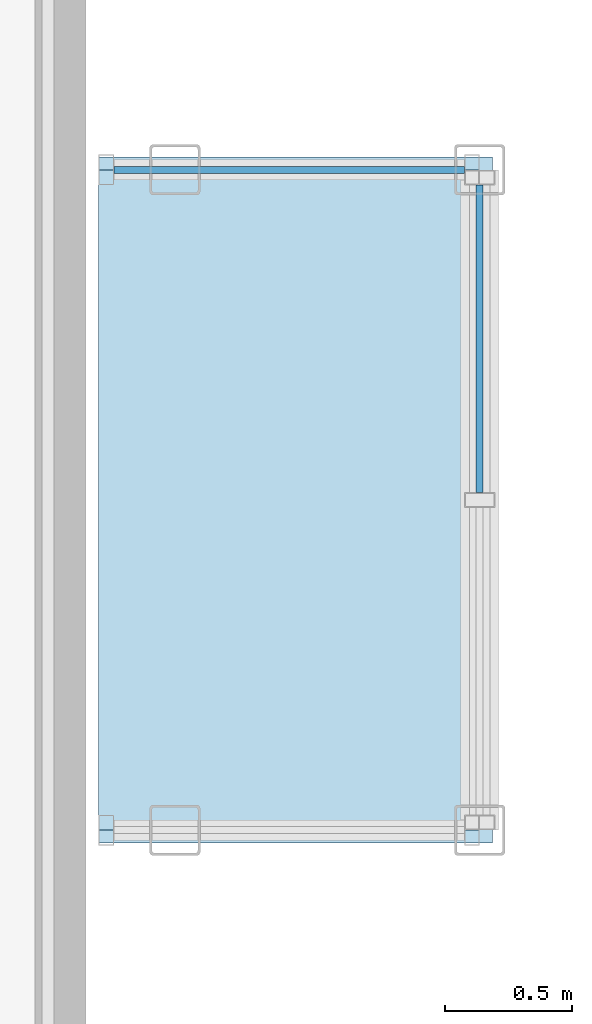
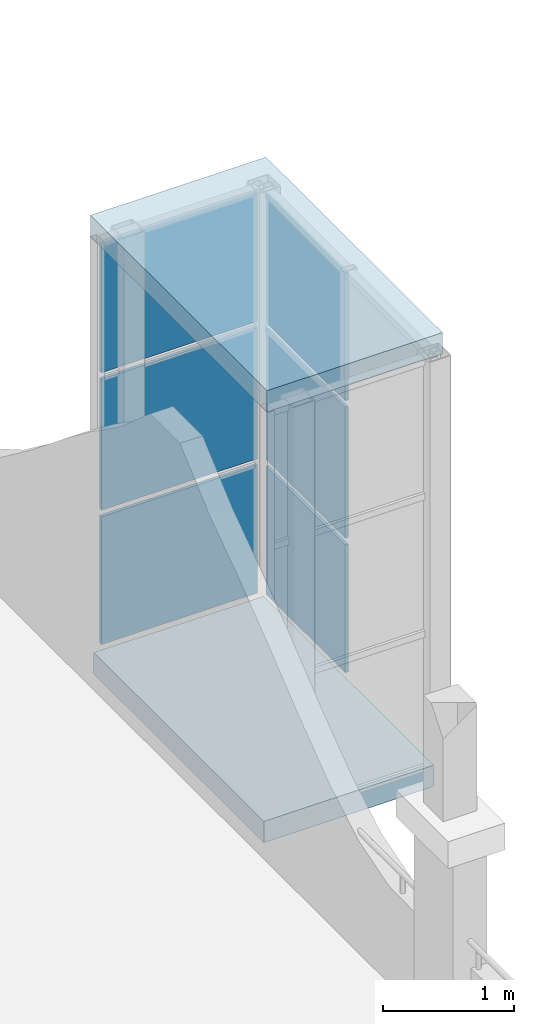
# One storey, part 59 of 111: 6 plates, 2 slabs, 2 elements without a shape of their own.
"""IFC4 building model written with IfcOpenShell, lengths in metres."""

import ifcopenshell
import ifcopenshell.guid

model = None  # the IFC model being written
_history = None  # IfcOwnerHistory: only IFC2X3 demands one
_inside = {}  # id of a spatial element -> (the spatial element, [elements in it])
_under = {}  # id of a project, library or spatial element -> (it, [spatial elements below it])
_declared = {}  # id of a project -> (the project, [libraries it declares])
_typed = {}  # id of a type object -> (the type object, [elements of that type])
_made_of = {}  # id of a material, layer set ... -> (it, [elements and type objects made of it])


def new_model(schema):
    """Start an empty IFC model of exactly this schema.

    Asked for "IFC4X3", IfcOpenShell would pick the latest addendum, in which some entities
    have other attributes; the version numbers below select the first issue.
    IFC2X3 requires an IfcOwnerHistory on every rooted entity: one is made here for all.
    """
    global model, _history
    if schema == "IFC4X3":
        model = ifcopenshell.file(schema_version=(4, 3, 0, 0))
    else:
        model = ifcopenshell.file(schema=schema)
    _inside.clear()
    _under.clear()
    _declared.clear()
    _typed.clear()
    _made_of.clear()
    _history = None
    if model.schema == "IFC2X3":
        org = make("IfcOrganization", Name="unknown")
        user = make(
            "IfcPersonAndOrganization",
            ThePerson=make("IfcPerson", FamilyName="unknown"),
            TheOrganization=org,
        )
        app = make(
            "IfcApplication",
            ApplicationDeveloper=org,
            Version="unknown",
            ApplicationFullName="unknown",
            ApplicationIdentifier="unknown",
        )
        _history = make(
            "IfcOwnerHistory",
            OwningUser=user,
            OwningApplication=app,
            ChangeAction="ADDED",
            CreationDate=0,
        )
    return model


def make(cls, **values):
    """One entity of the class cls with the attributes given. An attribute that is None is left unset."""
    return model.create_entity(
        cls, **{name: value for name, value in values.items() if value is not None}
    )


def rooted(cls, **values):
    """An entity with a GlobalId (a new one), such as an element, a storey or a relation."""
    return make(cls, GlobalId=ifcopenshell.guid.new(), OwnerHistory=_history, **values)


def si_unit(unit_type, name, prefix=None):
    """IfcSIUnit, for example si_unit("LENGTHUNIT", "METRE", prefix="MILLI")."""
    return make("IfcSIUnit", UnitType=unit_type, Prefix=prefix, Name=name)


def assignment(units):
    """IfcUnitAssignment: the units of a project."""
    return None if units is None else make("IfcUnitAssignment", Units=units)


def point(xyz):
    """IfcCartesianPoint."""
    return None if xyz is None else make("IfcCartesianPoint", Coordinates=xyz)


def direction(xyz):
    """IfcDirection."""
    return None if xyz is None else make("IfcDirection", DirectionRatios=xyz)


def frame(location, z_axis=None, x_axis=None):
    """IfcAxis2Placement3D, a coordinate frame: its origin and axes. An axis left out is left unset."""
    return make(
        "IfcAxis2Placement3D",
        Location=point(location),
        Axis=direction(z_axis),
        RefDirection=direction(x_axis),
    )


def frame_2d(location, x_axis=None):
    """IfcAxis2Placement2D, a coordinate frame in the plane: its origin and x axis."""
    return make(
        "IfcAxis2Placement2D", Location=point(location), RefDirection=direction(x_axis)
    )


def origin():
    """The frame at (0, 0, 0) with its axes left unset."""
    return frame((0.0, 0.0, 0.0))


def origin_2d():
    """The frame at (0, 0) in the plane with its x axis left unset."""
    return frame_2d((0.0, 0.0))


def place(relative_to, where):
    """IfcLocalPlacement: puts the frame where relative to a parent placement (None: the world)."""
    return make(
        "IfcLocalPlacement", PlacementRelTo=relative_to, RelativePlacement=where
    )


def context(
    kind, dimensions, precision=None, world=None, true_north=None, identifier=None
):
    """IfcGeometricRepresentationContext, for example the 3D "Model" context."""
    return make(
        "IfcGeometricRepresentationContext",
        ContextIdentifier=identifier,
        ContextType=kind,
        CoordinateSpaceDimension=dimensions,
        Precision=precision,
        WorldCoordinateSystem=world,
        TrueNorth=true_north,
    )


def subcontext(parent, identifier, kind, view, scale=None):
    """IfcGeometricRepresentationSubContext, for example "Body" below "Model"."""
    return make(
        "IfcGeometricRepresentationSubContext",
        ContextIdentifier=identifier,
        ContextType=kind,
        ParentContext=parent,
        TargetScale=scale,
        TargetView=view,
    )


def project(units=None, contexts=None):
    """IfcProject with its units and contexts."""
    return rooted(
        "IfcProject",
        Name="project",
        RepresentationContexts=contexts,
        UnitsInContext=assignment(units),
    )


def spatial(cls, under=None, at=None, **own):
    """A site, building, storey or space (cls), placed at a placement, below another one or the project."""
    s = rooted(cls, ObjectPlacement=at, **own)
    if under is not None:
        _under.setdefault(under.id(), (under, []))[1].append(s)
    return s


def polyline(points):
    """IfcPolyline through the points."""
    return make("IfcPolyline", Points=[point(p) for p in points])


def profile(cls, at=None, kind="AREA", **sizes):
    """A parametric profile (cls). Its sizes go by their IFC names, for example OverallWidth=200.0."""
    return make(cls, ProfileType=kind, Position=at, **sizes)


def rectangle(**sizes):
    """IfcRectangleProfileDef."""
    return profile("IfcRectangleProfileDef", **sizes)


def outline(outer, holes=None, kind="AREA"):
    """IfcArbitraryClosedProfileDef: a profile drawn as a closed curve; with holes, ...WithVoids."""
    if holes is None:
        return make("IfcArbitraryClosedProfileDef", ProfileType=kind, OuterCurve=outer)
    return make(
        "IfcArbitraryProfileDefWithVoids",
        ProfileType=kind,
        OuterCurve=outer,
        InnerCurves=holes,
    )


def extrude(swept, where, along, depth):
    """IfcExtrudedAreaSolid: the profile swept, set in the frame where, extruded along a direction by depth."""
    return make(
        "IfcExtrudedAreaSolid",
        SweptArea=swept,
        Position=where,
        ExtrudedDirection=direction(along),
        Depth=depth,
    )


def shape(context_of_items, identifier, shape_type, items):
    """IfcShapeRepresentation: the items that make up one representation, for example the "Body"."""
    return make(
        "IfcShapeRepresentation",
        ContextOfItems=context_of_items,
        RepresentationIdentifier=identifier,
        RepresentationType=shape_type,
        Items=items,
    )


def material(Name=None, Category=None):
    """IfcMaterial."""
    return make("IfcMaterial", Name=Name, Category=Category)


def layer(
    of_material, thickness, ventilated=None, Name=None, Category=None, Priority=None
):
    """IfcMaterialLayer: one layer of a wall or slab, of a material (None: an air gap)."""
    return make(
        "IfcMaterialLayer",
        Material=of_material,
        LayerThickness=thickness,
        IsVentilated=ventilated,
        Name=Name,
        Category=Category,
        Priority=Priority,
    )


def layer_set(layers, Name=None):
    """IfcMaterialLayerSet."""
    return make("IfcMaterialLayerSet", MaterialLayers=layers, LayerSetName=Name)


def made_of(thing, what):
    """Note that an element or type object is made of a material, layer set ...; save() writes the relation."""
    if what is not None:
        _made_of.setdefault(what.id(), (what, []))[1].append(thing)
    return thing


def type_object(cls, material=None, **own):
    """A type object (cls), such as IfcWallType, which elements share."""
    return made_of(rooted(cls, **own), material)


def element(
    cls,
    number,
    at=None,
    inside=None,
    cuts=None,
    type_object=None,
    material=None,
    context=None,
    identifier="Body",
    shape_type=None,
    held_by="IfcProductDefinitionShape",
    body=None,
    shapes=None,
    **own,
):
    """One element of the class cls, such as IfcWall. Its Tag is "e" and its number.

    at: its placement. inside: the storey or other place that contains it. cuts: it is an
    opening in that element (IfcRelVoidsElement). A single representation is given by context,
    identifier, shape_type and body (its items); several are given by shapes. held_by: the class
    of the entity that holds the representations. save() writes the other relations.
    """
    e = rooted(cls, Tag="e%d" % number, ObjectPlacement=at, **own)
    if body is not None:
        shapes = [shape(context, identifier, shape_type, body)]
    if shapes is not None:
        e.Representation = make(held_by, Representations=shapes)
    if inside is not None:
        _inside.setdefault(inside.id(), (inside, []))[1].append(e)
    if cuts is not None:
        rooted(
            "IfcRelVoidsElement", RelatingBuildingElement=cuts, RelatedOpeningElement=e
        )
    if type_object is not None:
        _typed.setdefault(type_object.id(), (type_object, []))[1].append(e)
    return made_of(e, material)


def aggregate(whole, parts):
    """IfcRelAggregates: a whole, such as a stair, and the parts it consists of."""
    return rooted("IfcRelAggregates", RelatingObject=whole, RelatedObjects=parts)


def save(model, path):
    """Write the relations noted so far, then the file.

    IfcRelAggregates (storeys below a building ...), IfcRelContainedInSpatialStructure (elements
    in a storey), IfcRelDefinesByType, IfcRelAssociatesMaterial and IfcRelDeclares: one each for
    every whole, place, type object, material and project.
    """
    for whole, parts in _under.values():
        aggregate(whole, parts)
    for where, things in _inside.values():
        rooted(
            "IfcRelContainedInSpatialStructure",
            RelatedElements=things,
            RelatingStructure=where,
        )
    for kind, things in _typed.values():
        rooted("IfcRelDefinesByType", RelatedObjects=things, RelatingType=kind)
    for what, things in _made_of.values():
        rooted("IfcRelAssociatesMaterial", RelatedObjects=things, RelatingMaterial=what)
    for by, libraries in _declared.values():
        rooted("IfcRelDeclares", RelatingContext=by, RelatedDefinitions=libraries)
    model.write(path)


model = new_model("IFC4")

# Units and contexts
model_context = context("Model", 3, precision=1e-05, world=origin(), true_north=direction((0.0, 1.0)))
body_context = subcontext(model_context, "Body", "Model", "MODEL_VIEW")
ifc_project = project(units=[si_unit("LENGTHUNIT", "METRE"), si_unit("AREAUNIT", "SQUARE_METRE"), si_unit("VOLUMEUNIT", "CUBIC_METRE"), si_unit("PLANEANGLEUNIT", "RADIAN"), si_unit("MASSUNIT", "GRAM", prefix="KILO")], contexts=[model_context])

# Site, building, storey
site_placement = place(None, origin())
site = spatial("IfcSite", under=ifc_project, at=site_placement, CompositionType="ELEMENT")
building_placement = place(site_placement, origin())
building = spatial("IfcBuilding", under=site, at=building_placement, Name="Kallimachos Central Library", CompositionType="ELEMENT")
storey_placement = place(building_placement, frame((0.0, 0.0, 14.39990234375)))
storey = spatial("IfcBuildingStorey", under=building, at=storey_placement, Name="L03", CompositionType="ELEMENT", Elevation=14.39990234375)

# Slab
ifc_material_1 = material(Name="Composite slab C30/37 on steel deck", Category="concrete")
ifc_layer_1 = layer(ifc_material_1, 0.199951171875)
ifc_layer_set_1 = layer_set([ifc_layer_1], Name="Tribune bay floor slab 200")
slab_type_1 = type_object("IfcSlabType", Name="Tribune bay floor slab 200", PredefinedType="FLOOR", material=ifc_layer_set_1)
slab_1_placement = place(storey_placement, frame((0.0, 0.0, -0.199951171875)))
element("IfcSlab", 1, at=slab_1_placement, inside=storey, type_object=slab_type_1, Name="Tribune bay E2 floor L03", PredefinedType="FLOOR", context=body_context, shape_type="SweptSolid", body=[
    extrude(outline(polyline([(110.550048828125, 69.199951171875), (110.550048828125, 71.800048828125), (112.050048828125, 71.800048828125), (112.050048828125, 69.199951171875), (110.550048828125, 69.199951171875)])), origin(), (0.0, 0.0, 1.0), 0.199951171875),
])

# Curtain wall, plates
ifc_material_2 = material(Name="Aluminium and laminated glass", Category="aluminium")
curtain_wall_type = type_object("IfcCurtainWallType", Name="Tribune bay glazed screen", PredefinedType="NOTDEFINED", material=ifc_material_2)
curtain_wall_1_placement = place(storey_placement, origin())
curtain_wall_1 = element("IfcCurtainWall", 2, at=curtain_wall_1_placement, inside=storey, type_object=curtain_wall_type, Name="Tribune bay E2 L03 front", PredefinedType="NOTDEFINED")
ifc_material_3 = material(Name="Laminated glass", Category="glass")
ifc_layer_2 = layer(ifc_material_3, 0.028076171875)
ifc_layer_set_2 = layer_set([ifc_layer_2], Name="Tribune bay glass panel")
plate_type = type_object("IfcPlateType", Name="Tribune bay glass panel", PredefinedType="CURTAIN_PANEL", material=ifc_layer_set_2)
plate_1_placement = place(storey_placement, frame((112.050048828125, 71.135009765625, 0.06005859375), z_axis=(0.0, 0.0, 1.0), x_axis=(0.0, 1.0, 0.0)))
plate_1 = element("IfcPlate", 3, at=plate_1_placement, type_object=plate_type, Name="CW panel 2.1", PredefinedType="CURTAIN_PANEL", context=body_context, shape_type="SweptSolid", body=[
    extrude(rectangle(XDim=1.2099609375, YDim=0.028076171875, at=origin_2d()), origin(), (0.0, 0.0, 1.0), 1.193359375),
])
plate_2_placement = place(storey_placement, frame((112.050048828125, 71.135009765625, 1.3134765625), z_axis=(0.0, 0.0, 1.0), x_axis=(0.0, 1.0, 0.0)))
plate_2 = element("IfcPlate", 4, at=plate_2_placement, type_object=plate_type, Name="CW panel 2.2", PredefinedType="CURTAIN_PANEL", context=body_context, shape_type="SweptSolid", body=[
    extrude(rectangle(XDim=1.2099609375, YDim=0.028076171875, at=origin_2d()), origin(), (0.0, 0.0, 1.0), 1.223388671875),
])
plate_3_placement = place(storey_placement, frame((112.050048828125, 71.135009765625, 2.5966796875), z_axis=(0.0, 0.0, 1.0), x_axis=(0.0, 1.0, 0.0)))
plate_3 = element("IfcPlate", 5, at=plate_3_placement, type_object=plate_type, Name="CW panel 2.3", PredefinedType="CURTAIN_PANEL", context=body_context, shape_type="SweptSolid", body=[
    extrude(rectangle(XDim=1.2099609375, YDim=0.028076171875, at=origin_2d()), origin(), (0.0, 0.0, 1.0), 1.193359375),
])
aggregate(curtain_wall_1, [plate_1, plate_2, plate_3])

curtain_wall_2_placement = place(storey_placement, origin())
curtain_wall_2 = element("IfcCurtainWall", 6, at=curtain_wall_2_placement, inside=storey, type_object=curtain_wall_type, Name="Tribune bay E2 L03 return 2", PredefinedType="NOTDEFINED")
plate_4_placement = place(storey_placement, frame((111.300048828125, 71.800048828125, 0.06005859375), z_axis=(0.0, 0.0, 1.0), x_axis=(1.0, 0.0, 0.0)))
plate_4 = element("IfcPlate", 7, at=plate_4_placement, type_object=plate_type, Name="CW panel 1.1", PredefinedType="CURTAIN_PANEL", context=body_context, shape_type="SweptSolid", body=[
    extrude(rectangle(XDim=1.3798828125, YDim=0.028076171875, at=origin_2d()), origin(), (0.0, 0.0, 1.0), 1.193359375),
])
plate_5_placement = place(storey_placement, frame((111.300048828125, 71.800048828125, 1.3134765625), z_axis=(0.0, 0.0, 1.0), x_axis=(1.0, 0.0, 0.0)))
plate_5 = element("IfcPlate", 8, at=plate_5_placement, type_object=plate_type, Name="CW panel 1.2", PredefinedType="CURTAIN_PANEL", context=body_context, shape_type="SweptSolid", body=[
    extrude(rectangle(XDim=1.3798828125, YDim=0.028076171875, at=origin_2d()), origin(), (0.0, 0.0, 1.0), 1.223388671875),
])
plate_6_placement = place(storey_placement, frame((111.300048828125, 71.800048828125, 2.5966796875), z_axis=(0.0, 0.0, 1.0), x_axis=(1.0, 0.0, 0.0)))
plate_6 = element("IfcPlate", 9, at=plate_6_placement, type_object=plate_type, Name="CW panel 1.3", PredefinedType="CURTAIN_PANEL", context=body_context, shape_type="SweptSolid", body=[
    extrude(rectangle(XDim=1.3798828125, YDim=0.028076171875, at=origin_2d()), origin(), (0.0, 0.0, 1.0), 1.193359375),
])
aggregate(curtain_wall_2, [plate_4, plate_5, plate_6])

# Slab
ifc_material_4 = material(Name="Composite slab C30/37 on steel deck", Category="concrete")
ifc_layer_3 = layer(ifc_material_4, 0.199951171875)
ifc_layer_set_3 = layer_set([ifc_layer_3], Name="Tribune bay roof slab 200")
slab_type_2 = type_object("IfcSlabType", Name="Tribune bay roof slab 200", PredefinedType="ROOF", material=ifc_layer_set_3)
slab_2_placement = place(storey_placement, frame((0.0, 0.0, 3.85009765625)))
element("IfcSlab", 10, at=slab_2_placement, inside=storey, type_object=slab_type_2, Name="Tribune bay E2 roof", PredefinedType="ROOF", context=body_context, shape_type="SweptSolid", body=[
    extrude(outline(polyline([(110.550048828125, 69.14990234375), (110.550048828125, 71.85009765625), (112.10009765625, 71.85009765625), (112.10009765625, 69.14990234375), (110.550048828125, 69.14990234375)])), origin(), (0.0, 0.0, 1.0), 0.199951171875),
])

save(model, "model.ifc")
